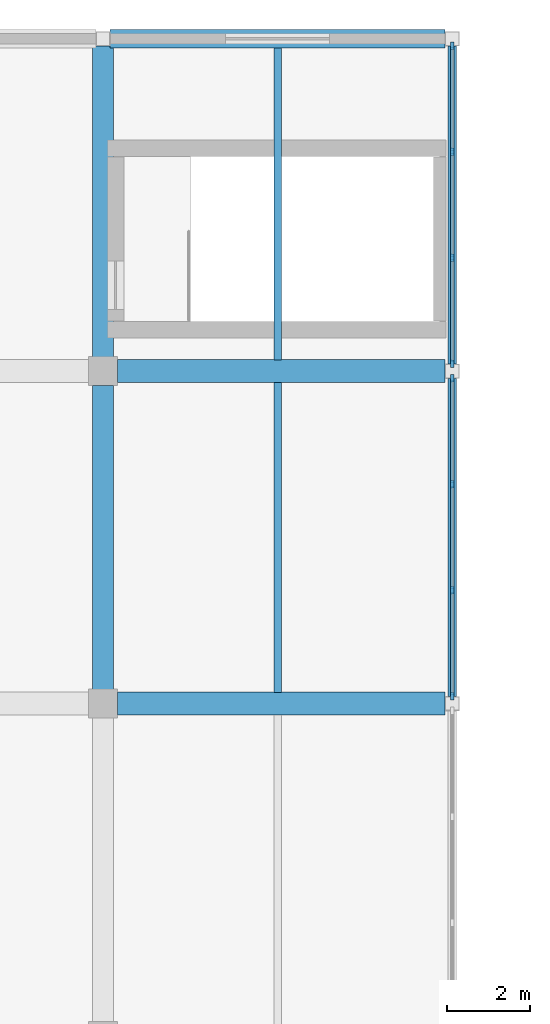
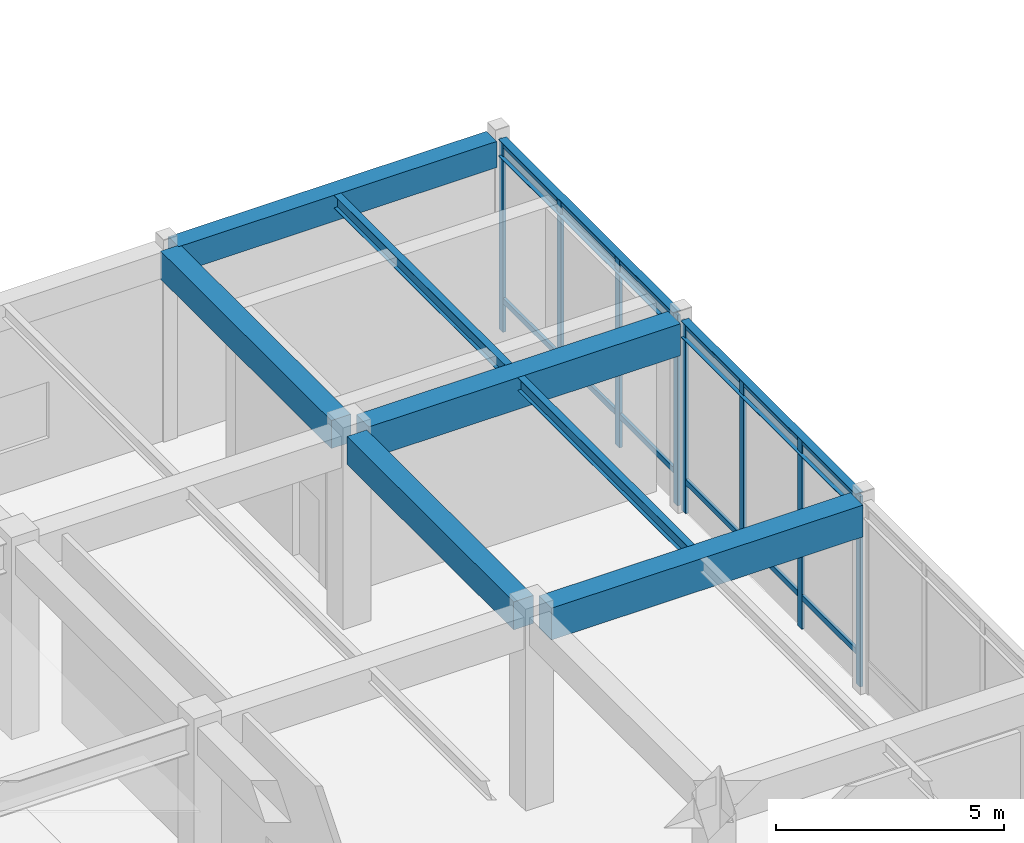
# One storey, part 36 of 79: 20 members, 9 beams, 2 elements without a shape of their own.
"""IFC4 building model written with IfcOpenShell, lengths in metres."""

from ifc_helpers import new_model, si_unit, direction, frame, origin, origin_2d, place, context, subcontext, project, spatial, rectangle, i_section, extrude, material, layer, layer_set, material_profile, profile_set, type_object, element, aggregate, save


model = new_model("IFC4")

# Units and contexts
model_context = context("Model", 3, precision=1e-05, world=origin(), true_north=direction((0.0, 1.0)))
body_context = subcontext(model_context, "Body", "Model", "MODEL_VIEW")
ifc_project = project(units=[si_unit("LENGTHUNIT", "METRE"), si_unit("AREAUNIT", "SQUARE_METRE"), si_unit("VOLUMEUNIT", "CUBIC_METRE"), si_unit("PLANEANGLEUNIT", "RADIAN"), si_unit("MASSUNIT", "GRAM", prefix="KILO")], contexts=[model_context])

# Site, building, storey
site_placement = place(None, origin())
site = spatial("IfcSite", under=ifc_project, at=site_placement, CompositionType="ELEMENT")
building_placement = place(site_placement, origin())
building = spatial("IfcBuilding", under=site, at=building_placement, Name="Naruveol Harbour Congress Hotel", CompositionType="ELEMENT")
storey_placement = place(building_placement, frame((0.0, 0.0, 6.0)))
storey = spatial("IfcBuildingStorey", under=building, at=storey_placement, Name="L01", CompositionType="ELEMENT", Elevation=6.0)

# Beams
ifc_material_1 = material(Name="Concrete C40/50", Category="concrete")
ifc_material_profile_1 = material_profile(ifc_material_1, rectangle(XDim=0.5, YDim=0.75, at=origin_2d()), Name="RCB-500x750")
ifc_profile_set_1 = profile_set([ifc_material_profile_1], Name="Concrete C40/50")
beam_type_1 = type_object("IfcBeamType", Name="RC FLOOR GIRDER 500X750", PredefinedType="BEAM", material=ifc_profile_set_1)
beam_1_placement = place(storey_placement, frame((33.60009765625, 96.345947265625, 4.764892578125), z_axis=(0.0, 1.0, 0.0), x_axis=(-1.0, 0.0, 0.0)))
element("IfcBeam", 1, at=beam_1_placement, inside=storey, type_object=beam_type_1, Name="Transverse girder L02 CB3", PredefinedType="BEAM", context=body_context, shape_type="SweptSolid", body=[
    extrude(rectangle(XDim=0.5, YDim=0.75, at=origin_2d()), origin(), (0.0, 0.0, 1.0), 7.30810546875),
])
beam_2_placement = place(storey_placement, frame((33.60009765625, 104.345947265625, 4.764892578125), z_axis=(0.0, 1.0, 0.0), x_axis=(-1.0, 0.0, 0.0)))
element("IfcBeam", 2, at=beam_2_placement, inside=storey, type_object=beam_type_1, Name="Transverse girder L02 CB3", PredefinedType="BEAM", context=body_context, shape_type="SweptSolid", body=[
    extrude(rectangle(XDim=0.5, YDim=0.75, at=origin_2d()), origin(), (0.0, 0.0, 1.0), 7.483154296875),
])
ifc_material_2 = material(Name="Concrete C40/50", Category="concrete")
ifc_material_profile_2 = material_profile(ifc_material_2, rectangle(XDim=0.550048828125, YDim=0.85009765625, at=origin_2d()), Name="RCB-550x850")
ifc_profile_set_2 = profile_set([ifc_material_profile_2], Name="Concrete C40/50")
beam_type_2 = type_object("IfcBeamType", Name="RC PRIMARY GIRDER 550X850", PredefinedType="BEAM", material=ifc_profile_set_2)
for number, where, z_axis, x_axis, name in (
    (3, (33.946044921875, 96.0, 4.715087890625), (1.0, 0.0, 0.0), (0.0, 1.0, 0.0), "Floor girder L02 CB2"),
    (4, (33.946044921875, 104.0, 4.715087890625), (1.0, 0.0, 0.0), (0.0, 1.0, 0.0), "Floor girder L02 CB2"),
):
    element("IfcBeam", number, at=place(storey_placement, frame(where, z_axis=z_axis, x_axis=x_axis)), inside=storey, type_object=beam_type_2, Name=name, PredefinedType="BEAM", context=body_context, shape_type="SweptSolid", body=[
        extrude(rectangle(XDim=0.550048828125, YDim=0.85009765625, at=origin_2d()), origin(), (0.0, 0.0, 1.0), 7.883056640625),
    ])
ifc_material_3 = material(Name="Concrete C40/50", Category="concrete")
ifc_material_profile_3 = material_profile(ifc_material_3, rectangle(XDim=0.449951171875, YDim=0.699951171875, at=origin_2d()), Name="RCB-450x700")
ifc_profile_set_3 = profile_set([ifc_material_profile_3], Name="Concrete C40/50")
beam_type_3 = type_object("IfcBeamType", Name="RC SPANDREL BEAM 450X700", PredefinedType="SPANDREL", material=ifc_profile_set_3)
beam_3_placement = place(storey_placement, frame((33.77099609375, 112.0, 4.7900390625), z_axis=(1.0, 0.0, 0.0), x_axis=(0.0, 1.0, 0.0)))
element("IfcBeam", 5, at=beam_3_placement, inside=storey, type_object=beam_type_3, Name="Floor girder L02 SPB1", PredefinedType="SPANDREL", context=body_context, shape_type="SweptSolid", body=[
    extrude(rectangle(XDim=0.449951171875, YDim=0.699951171875, at=origin_2d()), origin(), (0.0, 0.0, 1.0), 8.05810546875),
])
ifc_material_4 = material(Name="Steel SN490", Category="steel")
ifc_material_profile_4 = material_profile(ifc_material_4, i_section(OverallWidth=0.175048828125, OverallDepth=0.35009765625, WebThickness=0.007080078125, FlangeThickness=0.010986328125, at=origin_2d()), Name="H-350x175x7x11")
ifc_profile_set_4 = profile_set([ifc_material_profile_4], Name="Steel SN490")
beam_type_4 = type_object("IfcBeamType", Name="STEEL SECONDARY JOIST H350", PredefinedType="JOIST", material=ifc_profile_set_4)
beam_4_placement = place(storey_placement, frame((37.800048828125, 96.27099609375, 4.965087890625), z_axis=(0.0, 1.0, 0.0), x_axis=(-1.0, 0.0, 0.0)))
element("IfcBeam", 6, at=beam_4_placement, inside=storey, type_object=beam_type_4, Name="Secondary floor joist L02 SJ2", PredefinedType="JOIST", context=body_context, shape_type="SweptSolid", body=[
    extrude(i_section(OverallWidth=0.175048828125, OverallDepth=0.35009765625, WebThickness=0.007080078125, FlangeThickness=0.010986328125, at=origin_2d()), origin(), (0.0, 0.0, 1.0), 7.4580078125),
])
beam_5_placement = place(storey_placement, frame((37.800048828125, 104.27099609375, 4.965087890625), z_axis=(0.0, 1.0, 0.0), x_axis=(-1.0, 0.0, 0.0)))
element("IfcBeam", 7, at=beam_5_placement, inside=storey, type_object=beam_type_4, Name="Secondary floor joist L02 SJ2", PredefinedType="JOIST", context=body_context, shape_type="SweptSolid", body=[
    extrude(i_section(OverallWidth=0.175048828125, OverallDepth=0.35009765625, WebThickness=0.007080078125, FlangeThickness=0.010986328125, at=origin_2d()), origin(), (0.0, 0.0, 1.0), 7.508056640625),
])
ifc_material_5 = material(Name="Steel SN490", Category="steel")
ifc_material_profile_5 = material_profile(ifc_material_5, i_section(OverallWidth=0.199951171875, OverallDepth=0.449951171875, WebThickness=0.009033203125, FlangeThickness=0.013916015625, at=origin_2d()), Name="H-450x200x9x14")
ifc_profile_set_5 = profile_set([ifc_material_profile_5], Name="Steel SN490")
beam_type_5 = type_object("IfcBeamType", Name="STEEL SPANDREL EDGE BEAM H450", PredefinedType="SPANDREL", material=ifc_profile_set_5)
for number, where, z_axis, x_axis, name in (
    (8, (42.0, 96.1708984375, 4.9150390625), (0.0, 1.0, 0.0), (-1.0, 0.0, 0.0), "Transverse girder L02 SPB2"),
    (9, (42.0, 104.1708984375, 4.9150390625), (0.0, 1.0, 0.0), (-1.0, 0.0, 0.0), "Transverse girder L02 SPB2"),
):
    element("IfcBeam", number, at=place(storey_placement, frame(where, z_axis=z_axis, x_axis=x_axis)), inside=storey, type_object=beam_type_5, Name=name, PredefinedType="SPANDREL", context=body_context, shape_type="SweptSolid", body=[
        extrude(i_section(OverallWidth=0.199951171875, OverallDepth=0.449951171875, WebThickness=0.009033203125, FlangeThickness=0.013916015625, at=origin_2d()), origin(), (0.0, 0.0, 1.0), 7.658203125),
    ])

# Curtain wall, members
ifc_material_6 = material(Name="Low-E Curtain Wall System", Category="glass")
ifc_layer = layer(ifc_material_6, 0.179931640625)
ifc_layer_set = layer_set([ifc_layer], Name="Low-E Curtain Wall System")
curtain_wall_type = type_object("IfcCurtainWallType", Name="UNITISED CURTAIN WALL CW-V3E-15 7650X5100", PredefinedType="USERDEFINED", material=ifc_layer_set)
curtain_wall_1_placement = place(storey_placement, origin())
curtain_wall_1 = element("IfcCurtainWall", 10, at=curtain_wall_1_placement, inside=storey, type_object=curtain_wall_type, Name="Unitised curtain wall CW-V3E-15 L01", ObjectType="UNITISED GLAZING", PredefinedType="USERDEFINED")
ifc_material_7 = material(Name="Anodised Aluminium 6063-T6", Category="aluminium")
ifc_material_profile_6 = material_profile(ifc_material_7, rectangle(XDim=0.074951171875, YDim=0.179931640625, at=origin_2d()), Name="ALU-75x180")
ifc_profile_set_6 = profile_set([ifc_material_profile_6], Name="Anodised Aluminium 6063-T6")
member_type_1 = type_object("IfcMemberType", Name="THERMAL ALUMINIUM MULLION 75X180", PredefinedType="MULLION", material=ifc_profile_set_6)
member_1_placement = place(storey_placement, frame((42.0, 103.824951171875, 0.0), z_axis=(0.0, 0.0, 1.0), x_axis=(1.0, 0.0, 0.0)))
member_1 = element("IfcMember", 11, at=member_1_placement, type_object=member_type_1, Name="Curtain wall mullion CW-L01-0031-M0", PredefinedType="MULLION", context=body_context, shape_type="SweptSolid", body=[
    extrude(rectangle(XDim=0.074951171875, YDim=0.179931640625, at=origin_2d()), origin(), (0.0, 0.0, 1.0), 5.10009765625),
])
member_2_placement = place(storey_placement, frame((42.0, 101.27490234375, 0.0), z_axis=(0.0, 0.0, 1.0), x_axis=(1.0, 0.0, 0.0)))
member_2 = element("IfcMember", 12, at=member_2_placement, type_object=member_type_1, Name="Curtain wall mullion CW-L01-0031-M1", PredefinedType="MULLION", context=body_context, shape_type="SweptSolid", body=[
    extrude(rectangle(XDim=0.074951171875, YDim=0.179931640625, at=origin_2d()), origin(), (0.0, 0.0, 1.0), 5.10009765625),
])
member_3_placement = place(storey_placement, frame((42.0, 98.72509765625, 0.0), z_axis=(0.0, 0.0, 1.0), x_axis=(1.0, 0.0, 0.0)))
member_3 = element("IfcMember", 13, at=member_3_placement, type_object=member_type_1, Name="Curtain wall mullion CW-L01-0031-M2", PredefinedType="MULLION", context=body_context, shape_type="SweptSolid", body=[
    extrude(rectangle(XDim=0.074951171875, YDim=0.179931640625, at=origin_2d()), origin(), (0.0, 0.0, 1.0), 5.10009765625),
])
member_4_placement = place(storey_placement, frame((42.0, 96.175048828125, 0.0), z_axis=(0.0, 0.0, 1.0), x_axis=(1.0, 0.0, 0.0)))
member_4 = element("IfcMember", 14, at=member_4_placement, type_object=member_type_1, Name="Curtain wall mullion CW-L01-0031-M3", PredefinedType="MULLION", context=body_context, shape_type="SweptSolid", body=[
    extrude(rectangle(XDim=0.074951171875, YDim=0.179931640625, at=origin_2d()), origin(), (0.0, 0.0, 1.0), 5.10009765625),
])

curtain_wall_2_placement = place(storey_placement, origin())
curtain_wall_2 = element("IfcCurtainWall", 15, at=curtain_wall_2_placement, inside=storey, type_object=curtain_wall_type, Name="Unitised curtain wall CW-V3E-15 L01", ObjectType="UNITISED GLAZING", PredefinedType="USERDEFINED")
member_5_placement = place(storey_placement, frame((42.0, 111.824951171875, 0.0), z_axis=(0.0, 0.0, 1.0), x_axis=(1.0, 0.0, 0.0)))
member_5 = element("IfcMember", 16, at=member_5_placement, type_object=member_type_1, Name="Curtain wall mullion CW-L01-0032-M0", PredefinedType="MULLION", context=body_context, shape_type="SweptSolid", body=[
    extrude(rectangle(XDim=0.074951171875, YDim=0.179931640625, at=origin_2d()), origin(), (0.0, 0.0, 1.0), 5.10009765625),
])
member_6_placement = place(storey_placement, frame((42.0, 109.27490234375, 0.0), z_axis=(0.0, 0.0, 1.0), x_axis=(1.0, 0.0, 0.0)))
member_6 = element("IfcMember", 17, at=member_6_placement, type_object=member_type_1, Name="Curtain wall mullion CW-L01-0032-M1", PredefinedType="MULLION", context=body_context, shape_type="SweptSolid", body=[
    extrude(rectangle(XDim=0.074951171875, YDim=0.179931640625, at=origin_2d()), origin(), (0.0, 0.0, 1.0), 5.10009765625),
])
member_7_placement = place(storey_placement, frame((42.0, 106.72509765625, 0.0), z_axis=(0.0, 0.0, 1.0), x_axis=(1.0, 0.0, 0.0)))
member_7 = element("IfcMember", 18, at=member_7_placement, type_object=member_type_1, Name="Curtain wall mullion CW-L01-0032-M2", PredefinedType="MULLION", context=body_context, shape_type="SweptSolid", body=[
    extrude(rectangle(XDim=0.074951171875, YDim=0.179931640625, at=origin_2d()), origin(), (0.0, 0.0, 1.0), 5.10009765625),
])
member_8_placement = place(storey_placement, frame((42.0, 104.175048828125, 0.0), z_axis=(0.0, 0.0, 1.0), x_axis=(1.0, 0.0, 0.0)))
member_8 = element("IfcMember", 19, at=member_8_placement, type_object=member_type_1, Name="Curtain wall mullion CW-L01-0032-M3", PredefinedType="MULLION", context=body_context, shape_type="SweptSolid", body=[
    extrude(rectangle(XDim=0.074951171875, YDim=0.179931640625, at=origin_2d()), origin(), (0.0, 0.0, 1.0), 5.10009765625),
])

# Member
ifc_material_8 = material(Name="Anodised Aluminium 6063-T6", Category="aluminium")
ifc_material_profile_7 = material_profile(ifc_material_8, rectangle(XDim=0.074951171875, YDim=0.14990234375, at=origin_2d()), Name="ALU-75x150")
ifc_profile_set_7 = profile_set([ifc_material_profile_7], Name="Anodised Aluminium 6063-T6")
member_type_2 = type_object("IfcMemberType", Name="THERMAL ALUMINIUM TRANSOM 75X150", PredefinedType="USERDEFINED", material=ifc_profile_set_7)
member_9_placement = place(storey_placement, frame((42.0, 103.784912109375, 0.85009765625), z_axis=(0.0, -1.0, 0.0), x_axis=(1.0, 0.0, 0.0)))
member_9 = element("IfcMember", 20, at=member_9_placement, type_object=member_type_2, Name="Curtain wall transom CW-L01-0031-T0.1", ObjectType="TRANSOM", PredefinedType="USERDEFINED", context=body_context, shape_type="SweptSolid", body=[
    extrude(rectangle(XDim=0.074951171875, YDim=0.14990234375, at=origin_2d()), origin(), (0.0, 0.0, 1.0), 2.469970703125),
])

member_10_placement = place(storey_placement, frame((42.0, 103.784912109375, 5.02001953125), z_axis=(0.0, -1.0, 0.0), x_axis=(1.0, 0.0, 0.0)))
member_10 = element("IfcMember", 21, at=member_10_placement, type_object=member_type_2, Name="Curtain wall transom CW-L01-0031-T0.2", ObjectType="TRANSOM", PredefinedType="USERDEFINED", context=body_context, shape_type="SweptSolid", body=[
    extrude(rectangle(XDim=0.074951171875, YDim=0.14990234375, at=origin_2d()), origin(), (0.0, 0.0, 1.0), 2.469970703125),
])

member_11_placement = place(storey_placement, frame((42.0, 101.235107421875, 0.85009765625), z_axis=(0.0, -1.0, 0.0), x_axis=(1.0, 0.0, 0.0)))
member_11 = element("IfcMember", 22, at=member_11_placement, type_object=member_type_2, Name="Curtain wall transom CW-L01-0031-T1.1", ObjectType="TRANSOM", PredefinedType="USERDEFINED", context=body_context, shape_type="SweptSolid", body=[
    extrude(rectangle(XDim=0.074951171875, YDim=0.14990234375, at=origin_2d()), origin(), (0.0, 0.0, 1.0), 2.47021484375),
])

member_12_placement = place(storey_placement, frame((42.0, 101.235107421875, 5.02001953125), z_axis=(0.0, -1.0, 0.0), x_axis=(1.0, 0.0, 0.0)))
member_12 = element("IfcMember", 23, at=member_12_placement, type_object=member_type_2, Name="Curtain wall transom CW-L01-0031-T1.2", ObjectType="TRANSOM", PredefinedType="USERDEFINED", context=body_context, shape_type="SweptSolid", body=[
    extrude(rectangle(XDim=0.074951171875, YDim=0.14990234375, at=origin_2d()), origin(), (0.0, 0.0, 1.0), 2.47021484375),
])

member_13_placement = place(storey_placement, frame((42.0, 98.68505859375, 0.85009765625), z_axis=(0.0, -1.0, 0.0), x_axis=(1.0, 0.0, 0.0)))
member_13 = element("IfcMember", 24, at=member_13_placement, type_object=member_type_2, Name="Curtain wall transom CW-L01-0031-T2.1", ObjectType="TRANSOM", PredefinedType="USERDEFINED", context=body_context, shape_type="SweptSolid", body=[
    extrude(rectangle(XDim=0.074951171875, YDim=0.14990234375, at=origin_2d()), origin(), (0.0, 0.0, 1.0), 2.469970703125),
])

member_14_placement = place(storey_placement, frame((42.0, 98.68505859375, 5.02001953125), z_axis=(0.0, -1.0, 0.0), x_axis=(1.0, 0.0, 0.0)))
member_14 = element("IfcMember", 25, at=member_14_placement, type_object=member_type_2, Name="Curtain wall transom CW-L01-0031-T2.2", ObjectType="TRANSOM", PredefinedType="USERDEFINED", context=body_context, shape_type="SweptSolid", body=[
    extrude(rectangle(XDim=0.074951171875, YDim=0.14990234375, at=origin_2d()), origin(), (0.0, 0.0, 1.0), 2.469970703125),
])

aggregate(curtain_wall_1, [member_1, member_2, member_3, member_4, member_9, member_10, member_11, member_12, member_13, member_14])

member_15_placement = place(storey_placement, frame((42.0, 111.784912109375, 0.85009765625), z_axis=(0.0, -1.0, 0.0), x_axis=(1.0, 0.0, 0.0)))
member_15 = element("IfcMember", 26, at=member_15_placement, type_object=member_type_2, Name="Curtain wall transom CW-L01-0032-T0.1", ObjectType="TRANSOM", PredefinedType="USERDEFINED", context=body_context, shape_type="SweptSolid", body=[
    extrude(rectangle(XDim=0.074951171875, YDim=0.14990234375, at=origin_2d()), origin(), (0.0, 0.0, 1.0), 2.469970703125),
])

member_16_placement = place(storey_placement, frame((42.0, 111.784912109375, 5.02001953125), z_axis=(0.0, -1.0, 0.0), x_axis=(1.0, 0.0, 0.0)))
member_16 = element("IfcMember", 27, at=member_16_placement, type_object=member_type_2, Name="Curtain wall transom CW-L01-0032-T0.2", ObjectType="TRANSOM", PredefinedType="USERDEFINED", context=body_context, shape_type="SweptSolid", body=[
    extrude(rectangle(XDim=0.074951171875, YDim=0.14990234375, at=origin_2d()), origin(), (0.0, 0.0, 1.0), 2.469970703125),
])

member_17_placement = place(storey_placement, frame((42.0, 109.235107421875, 0.85009765625), z_axis=(0.0, -1.0, 0.0), x_axis=(1.0, 0.0, 0.0)))
member_17 = element("IfcMember", 28, at=member_17_placement, type_object=member_type_2, Name="Curtain wall transom CW-L01-0032-T1.1", ObjectType="TRANSOM", PredefinedType="USERDEFINED", context=body_context, shape_type="SweptSolid", body=[
    extrude(rectangle(XDim=0.074951171875, YDim=0.14990234375, at=origin_2d()), origin(), (0.0, 0.0, 1.0), 2.47021484375),
])

member_18_placement = place(storey_placement, frame((42.0, 109.235107421875, 5.02001953125), z_axis=(0.0, -1.0, 0.0), x_axis=(1.0, 0.0, 0.0)))
member_18 = element("IfcMember", 29, at=member_18_placement, type_object=member_type_2, Name="Curtain wall transom CW-L01-0032-T1.2", ObjectType="TRANSOM", PredefinedType="USERDEFINED", context=body_context, shape_type="SweptSolid", body=[
    extrude(rectangle(XDim=0.074951171875, YDim=0.14990234375, at=origin_2d()), origin(), (0.0, 0.0, 1.0), 2.47021484375),
])

member_19_placement = place(storey_placement, frame((42.0, 106.68505859375, 0.85009765625), z_axis=(0.0, -1.0, 0.0), x_axis=(1.0, 0.0, 0.0)))
member_19 = element("IfcMember", 30, at=member_19_placement, type_object=member_type_2, Name="Curtain wall transom CW-L01-0032-T2.1", ObjectType="TRANSOM", PredefinedType="USERDEFINED", context=body_context, shape_type="SweptSolid", body=[
    extrude(rectangle(XDim=0.074951171875, YDim=0.14990234375, at=origin_2d()), origin(), (0.0, 0.0, 1.0), 2.469970703125),
])

member_20_placement = place(storey_placement, frame((42.0, 106.68505859375, 5.02001953125), z_axis=(0.0, -1.0, 0.0), x_axis=(1.0, 0.0, 0.0)))
member_20 = element("IfcMember", 31, at=member_20_placement, type_object=member_type_2, Name="Curtain wall transom CW-L01-0032-T2.2", ObjectType="TRANSOM", PredefinedType="USERDEFINED", context=body_context, shape_type="SweptSolid", body=[
    extrude(rectangle(XDim=0.074951171875, YDim=0.14990234375, at=origin_2d()), origin(), (0.0, 0.0, 1.0), 2.469970703125),
])

aggregate(curtain_wall_2, [member_5, member_6, member_7, member_8, member_15, member_16, member_17, member_18, member_19, member_20])

save(model, "model.ifc")
